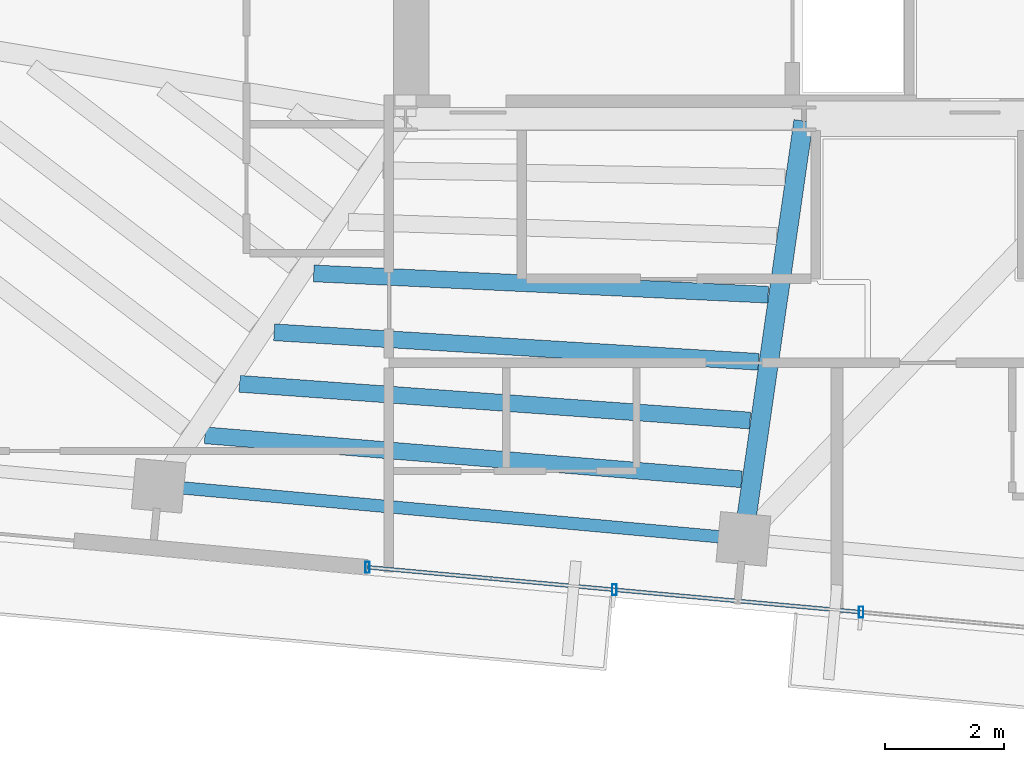
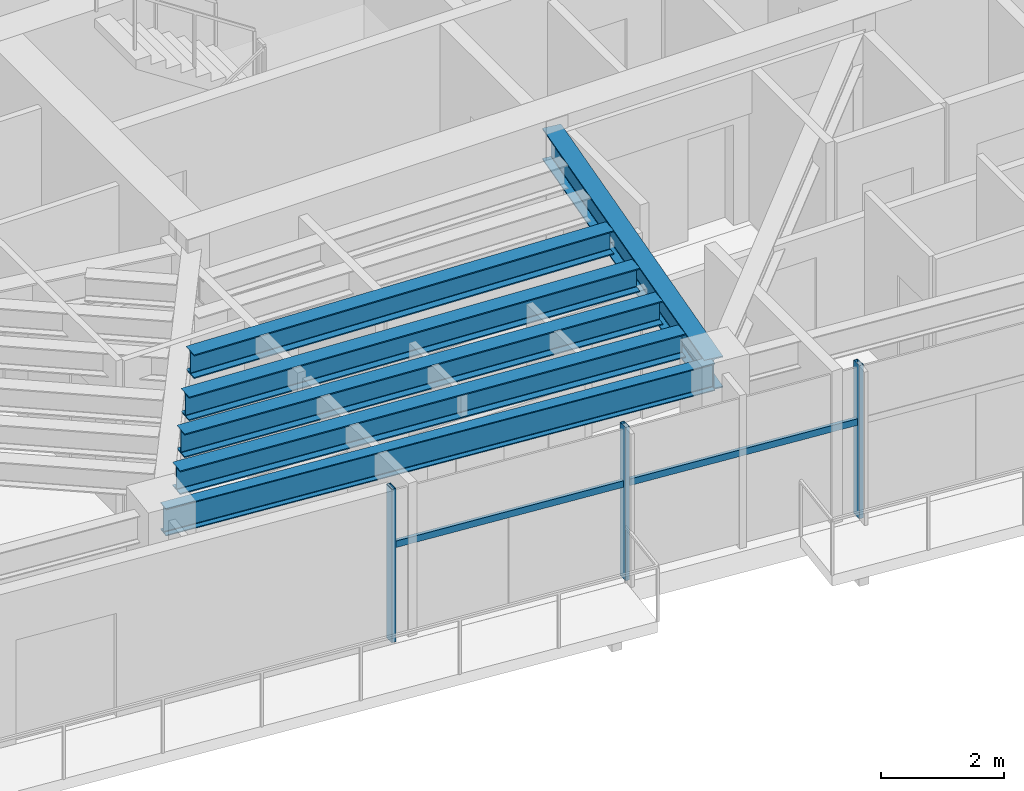
# One storey, part 6 of 22: 6 beams, 5 members, 1 element without a shape of its own.
"""IFC4 building model written with IfcOpenShell, lengths in metres."""

from ifc_helpers import new_model, si_unit, direction, frame, origin, origin_2d, place, context, subcontext, project, spatial, hollow_rectangle, i_section, extrude, source, transform, mapped, material, material_profile, profile_set, type_object, type_shapes, element, aggregate, save


model = new_model("IFC4")

# Units and contexts
model_context = context("Model", 3, precision=1e-05, world=origin(), true_north=direction((0.0, 1.0)))
body_context = subcontext(model_context, "Body", "Model", "MODEL_VIEW")
ifc_project = project(units=[si_unit("LENGTHUNIT", "METRE"), si_unit("AREAUNIT", "SQUARE_METRE"), si_unit("VOLUMEUNIT", "CUBIC_METRE"), si_unit("PLANEANGLEUNIT", "RADIAN"), si_unit("MASSUNIT", "GRAM", prefix="KILO")], contexts=[model_context])

# Site, building, storey
site_placement = place(None, origin())
site = spatial("IfcSite", under=ifc_project, at=site_placement, CompositionType="ELEMENT")
building_placement = place(site_placement, origin())
building = spatial("IfcBuilding", under=site, at=building_placement, Name="Astriad Promenade Condominiums", CompositionType="ELEMENT")
storey_placement = place(building_placement, frame((0.0, 0.0, 216.60009765625)))
storey = spatial("IfcBuildingStorey", under=building, at=storey_placement, Name="L62", CompositionType="ELEMENT", Elevation=216.60009765625)

# Beams
ifc_material_1 = material(Name="Steel ASTM A992 Grade 50", Category="steel")
ifc_material_profile_1 = material_profile(ifc_material_1, i_section(OverallWidth=0.210693359375, OverallDepth=0.53955078125, WebThickness=0.01171875, FlangeThickness=0.018798828125, FilletRadius=0.0166015625, at=origin_2d()), Name="W21X73")
ifc_profile_set_1 = profile_set([ifc_material_profile_1], Name="Steel ASTM A992 Grade 50")
beam_type_1 = type_object("IfcBeamType", Name="STEEL SPANDREL BEAM W21X73", PredefinedType="SPANDREL", material=ifc_profile_set_1)
shared_shape_1 = source(origin(), body_context, "Body", "SweptSolid", [
    extrude(i_section(OverallWidth=0.210693359375, OverallDepth=0.53955078125, WebThickness=0.01171875, FlangeThickness=0.018798828125, FilletRadius=0.0166015625, at=origin_2d()), origin(), (0.0, 0.0, 1.0), 9.81982421875),
])
type_shapes(beam_type_1, [shared_shape_1])
beam_1_placement = place(storey_placement, frame((22.281005859375, 11.205322265625, 2.77001953125), z_axis=(0.995885459014, -0.090620927631, 0.0), x_axis=(0.090620927631, 0.995885459014, 0.0)))
element("IfcBeam", 1, at=beam_1_placement, inside=storey, type_object=beam_type_1, Name="Perimeter Spandrel Beam SP-S2-L62", PredefinedType="SPANDREL", context=body_context, shape_type="MappedRepresentation", body=[
    mapped(shared_shape_1, transform((0.0, 0.0, 0.0), scale=1.0)),
])
ifc_material_profile_2 = material_profile(ifc_material_1, i_section(OverallWidth=0.326416015625, OverallDepth=0.621826171875, WebThickness=0.015380859375, FlangeThickness=0.0244140625, FilletRadius=0.017822265625, at=origin_2d()), Name="W24X131")
ifc_profile_set_2 = profile_set([ifc_material_profile_2], Name="Steel ASTM A992 Grade 50")
beam_type_2 = type_object("IfcBeamType", Name="STEEL FLOOR GIRDER W24X131", PredefinedType="BEAM", material=ifc_profile_set_2)
shared_shape_2 = source(origin(), body_context, "Body", "SweptSolid", [
    extrude(i_section(OverallWidth=0.326416015625, OverallDepth=0.621826171875, WebThickness=0.015380859375, FlangeThickness=0.0244140625, FilletRadius=0.017822265625, at=origin_2d()), origin(), (0.0, 0.0, 1.0), 7.081298828125),
])
type_shapes(beam_type_2, [shared_shape_2])
beam_2_placement = place(storey_placement, frame((32.10595703125, 10.351318359375, 2.72900390625), z_axis=(0.142391481124, 0.989810419274, 0.0), x_axis=(-0.989810419274, 0.142391481124, 0.0)))
element("IfcBeam", 2, at=beam_2_placement, inside=storey, type_object=beam_type_2, Name="Primary Floor Girder PG-C1-L62", PredefinedType="BEAM", context=body_context, shape_type="MappedRepresentation", body=[
    mapped(shared_shape_2, transform((0.0, 0.0, 0.0), scale=1.0)),
])
ifc_material_profile_3 = material_profile(ifc_material_1, i_section(OverallWidth=0.283203125, OverallDepth=0.47216796875, WebThickness=0.013671875, FlangeThickness=0.022216796875, FilletRadius=0.01513671875, at=origin_2d()), Name="W18X97")
ifc_profile_set_3 = profile_set([ifc_material_profile_3], Name="Steel ASTM A992 Grade 50")
beam_type_3 = type_object("IfcBeamType", Name="STEEL FLOOR JOIST W18X97", PredefinedType="JOIST", material=ifc_profile_set_3)
shared_shape_3 = source(origin(), body_context, "Body", "SweptSolid", [
    extrude(i_section(OverallWidth=0.283203125, OverallDepth=0.47216796875, WebThickness=0.013671875, FlangeThickness=0.022216796875, FilletRadius=0.01513671875, at=origin_2d()), origin(), (0.0, 0.0, 1.0), 9.08056640625),
])
beam_3_placement = place(storey_placement, frame((23.019775390625, 12.059814453125, 2.8037109375), z_axis=(0.996660857814, -0.081652522934, 0.0), x_axis=(0.081652522934, 0.996660857814, 0.0)))
element("IfcBeam", 3, at=beam_3_placement, inside=storey, type_object=beam_type_3, Name="Secondary Composite Floor Joist JCW-1-L62", PredefinedType="JOIST", context=body_context, shape_type="MappedRepresentation", body=[
    mapped(shared_shape_3, transform((0.0, 0.0, 0.0), scale=1.0)),
])
shared_shape_4 = source(origin(), body_context, "Body", "SweptSolid", [
    extrude(i_section(OverallWidth=0.283203125, OverallDepth=0.47216796875, WebThickness=0.013671875, FlangeThickness=0.022216796875, FilletRadius=0.01513671875, at=origin_2d()), origin(), (0.0, 0.0, 1.0), 8.631591796875),
])
beam_4_placement = place(storey_placement, frame((23.603271484375, 12.92822265625, 2.8037109375), z_axis=(0.997424124914, -0.071729457259, 0.0), x_axis=(0.071729457259, 0.997424124914, 0.0)))
element("IfcBeam", 4, at=beam_4_placement, inside=storey, type_object=beam_type_3, Name="Secondary Composite Floor Joist JCW-2-L62", PredefinedType="JOIST", context=body_context, shape_type="MappedRepresentation", body=[
    mapped(shared_shape_4, transform((0.0, 0.0, 0.0), scale=1.0)),
])
shared_shape_5 = source(origin(), body_context, "Body", "SweptSolid", [
    extrude(i_section(OverallWidth=0.283203125, OverallDepth=0.47216796875, WebThickness=0.013671875, FlangeThickness=0.022216796875, FilletRadius=0.01513671875, at=origin_2d()), origin(), (0.0, 0.0, 1.0), 8.183349609375),
])
beam_5_placement = place(storey_placement, frame((24.186767578125, 13.797119140625, 2.8037109375), z_axis=(0.998148077796, -0.06083103478, 0.0), x_axis=(0.06083103478, 0.998148077796, 0.0)))
element("IfcBeam", 5, at=beam_5_placement, inside=storey, type_object=beam_type_3, Name="Secondary Composite Floor Joist JCW-3-L62", PredefinedType="JOIST", context=body_context, shape_type="MappedRepresentation", body=[
    mapped(shared_shape_5, transform((0.0, 0.0, 0.0), scale=1.0)),
])
shared_shape_6 = source(origin(), body_context, "Body", "SweptSolid", [
    extrude(i_section(OverallWidth=0.283203125, OverallDepth=0.47216796875, WebThickness=0.013671875, FlangeThickness=0.022216796875, FilletRadius=0.01513671875, at=origin_2d()), origin(), (0.0, 0.0, 1.0), 7.672119140625),
])
type_shapes(beam_type_3, [shared_shape_3, shared_shape_4, shared_shape_5, shared_shape_6])
beam_6_placement = place(storey_placement, frame((24.85400390625, 14.790283203125, 2.8037109375), z_axis=(0.998903848677, -0.04680919886, 0.0), x_axis=(0.04680919886, 0.998903848677, 0.0)))
element("IfcBeam", 6, at=beam_6_placement, inside=storey, type_object=beam_type_3, Name="Secondary Composite Floor Joist JCW-4-L62", PredefinedType="JOIST", context=body_context, shape_type="MappedRepresentation", body=[
    mapped(shared_shape_6, transform((0.0, 0.0, 0.0), scale=1.0)),
])

# Curtain wall, members
ifc_material_2 = material(Name="Anodised aluminium Black Dark Glass Unitised", Category="aluminium")
curtain_wall_type = type_object("IfcCurtainWallType", Name="CW-B5-DARK", PredefinedType="USERDEFINED", material=ifc_material_2)
curtain_wall_placement = place(storey_placement, origin())
curtain_wall = element("IfcCurtainWall", 7, at=curtain_wall_placement, inside=storey, type_object=curtain_wall_type, Name="CW-L62-S", ObjectType="UNITISED_CURTAIN_WALL", PredefinedType="USERDEFINED")
ifc_material_3 = material(Name="Anodised aluminium 6063-T6 Black", Category="aluminium")
ifc_material_profile_4 = material_profile(ifc_material_3, hollow_rectangle(XDim=0.074951171875, YDim=0.18505859375, WallThickness=0.00439453125, at=origin_2d()), Name="ALU-MUL-75X185")
ifc_profile_set_4 = profile_set([ifc_material_profile_4], Name="Anodised aluminium 6063-T6 Black")
member_type_1 = type_object("IfcMemberType", Name="MUL-ALU-MUL-75X185", PredefinedType="MULLION", material=ifc_profile_set_4)
shared_shape_7 = source(origin(), body_context, "Body", "SweptSolid", [
    extrude(hollow_rectangle(XDim=0.074951171875, YDim=0.18505859375, WallThickness=0.00439453125, at=origin_2d()), origin(), (0.0, 0.0, 1.0), 3.039794921875),
])
type_shapes(member_type_1, [shared_shape_7])
member_1_placement = place(storey_placement, frame((34.086669921875, 9.07666015625, 0.0), z_axis=(0.0, 0.0, 1.0), x_axis=(1.0, 0.0, 0.0)))
member_1 = element("IfcMember", 8, at=member_1_placement, type_object=member_type_1, Name="CW-L62-S-MUL-01", PredefinedType="MULLION", context=body_context, shape_type="MappedRepresentation", body=[
    mapped(shared_shape_7, transform((0.0, 0.0, 0.0), scale=1.0)),
])
member_2_placement = place(storey_placement, frame((29.923828125, 9.45556640625, 0.0), z_axis=(0.0, 0.0, 1.0), x_axis=(1.0, 0.0, 0.0)))
member_2 = element("IfcMember", 9, at=member_2_placement, type_object=member_type_1, Name="CW-L62-S-MUL-02", PredefinedType="MULLION", context=body_context, shape_type="MappedRepresentation", body=[
    mapped(shared_shape_7, transform((0.0, 0.0, 0.0), scale=1.0)),
])
member_3_placement = place(storey_placement, frame((25.760986328125, 9.83447265625, 0.0), z_axis=(0.0, 0.0, 1.0), x_axis=(1.0, 0.0, 0.0)))
member_3 = element("IfcMember", 10, at=member_3_placement, type_object=member_type_1, Name="CW-L62-S-MUL-03", PredefinedType="MULLION", context=body_context, shape_type="MappedRepresentation", body=[
    mapped(shared_shape_7, transform((0.0, 0.0, 0.0), scale=1.0)),
])
ifc_material_profile_5 = material_profile(ifc_material_3, hollow_rectangle(XDim=0.06494140625, YDim=0.1298828125, WallThickness=0.00390625, at=origin_2d()), Name="ALU-TRN-65X130")
ifc_profile_set_5 = profile_set([ifc_material_profile_5], Name="Anodised aluminium 6063-T6 Black")
member_type_2 = type_object("IfcMemberType", Name="TRN-ALU-TRN-65X130", PredefinedType="USERDEFINED", material=ifc_profile_set_5)
shared_shape_8 = source(origin(), body_context, "Body", "SweptSolid", [
    extrude(hollow_rectangle(XDim=0.06494140625, YDim=0.1298828125, WallThickness=0.00390625, at=origin_2d()), origin(), (0.0, 0.0, 1.0), 4.179931640625),
])
type_shapes(member_type_2, [shared_shape_8])
member_4_placement = place(storey_placement, frame((34.086669921875, 9.07666015625, 1.884765625), z_axis=(-0.995883146811, 0.090646334165, 0.0), x_axis=(-0.090646334165, -0.995883146811, 0.0)))
member_4 = element("IfcMember", 11, at=member_4_placement, type_object=member_type_2, Name="CW-L62-S-TRN-01-0", ObjectType="TRANSOM", PredefinedType="USERDEFINED", context=body_context, shape_type="MappedRepresentation", body=[
    mapped(shared_shape_8, transform((0.0, 0.0, 0.0), scale=1.0)),
])
member_5_placement = place(storey_placement, frame((29.923828125, 9.45556640625, 1.884765625), z_axis=(-0.995883146811, 0.090646334165, 0.0), x_axis=(-0.090646334165, -0.995883146811, 0.0)))
member_5 = element("IfcMember", 12, at=member_5_placement, type_object=member_type_2, Name="CW-L62-S-TRN-02-0", ObjectType="TRANSOM", PredefinedType="USERDEFINED", context=body_context, shape_type="MappedRepresentation", body=[
    mapped(shared_shape_8, transform((0.0, 0.0, 0.0), scale=1.0)),
])
aggregate(curtain_wall, [member_1, member_2, member_3, member_4, member_5])

save(model, "model.ifc")
